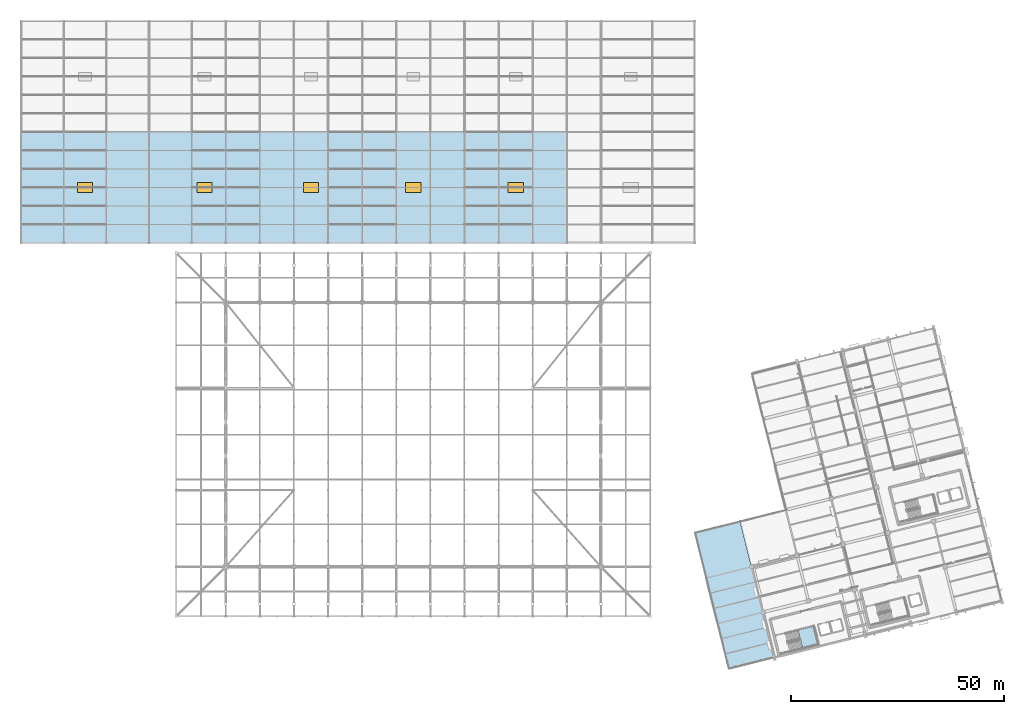
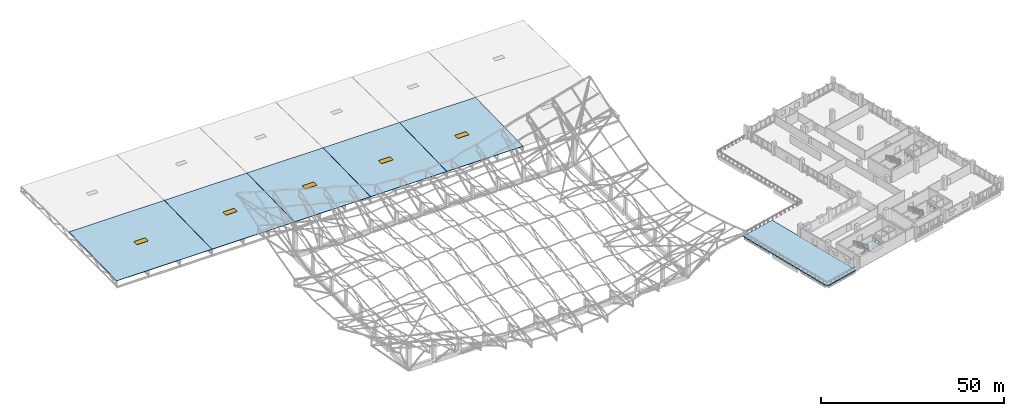
# One storey, part 56 of 75: 7 slabs, 5 windows, 5 openings, 6 elements without a shape of their own.
"""IFC4 building model written with IfcOpenShell, lengths in metres."""

from ifc_helpers import new_model, si_unit, direction, frame, origin, origin_2d, place, context, subcontext, project, spatial, polyline, rectangle, outline, extrude, material, layer, layer_set, type_object, element, fill, aggregate, save


model = new_model("IFC4")

# Units and contexts
model_context = context("Model", 3, precision=1e-05, world=origin(), true_north=direction((0.0, 1.0)))
body_context = subcontext(model_context, "Body", "Model", "MODEL_VIEW")
ifc_project = project(units=[si_unit("LENGTHUNIT", "METRE"), si_unit("AREAUNIT", "SQUARE_METRE"), si_unit("VOLUMEUNIT", "CUBIC_METRE"), si_unit("PLANEANGLEUNIT", "RADIAN"), si_unit("MASSUNIT", "GRAM", prefix="KILO")], contexts=[model_context])

# Site, building, storey
site_placement = place(None, origin())
site = spatial("IfcSite", under=ifc_project, at=site_placement, CompositionType="ELEMENT")
building_placement = place(site_placement, origin())
building = spatial("IfcBuilding", under=site, at=building_placement, Name="Khorjan Park Terminus", CompositionType="ELEMENT")
storey_placement = place(building_placement, frame((0.0, 0.0, 16.2)))
storey = spatial("IfcBuildingStorey", under=building, at=storey_placement, Name="L03", CompositionType="ELEMENT", Elevation=16.2)

# Stair, slab
ifc_material_1 = material(Name="Concrete C40/50", Category="concrete")
stair_type = type_object("IfcStairType", Name="STR-CORE-200", PredefinedType="HALF_TURN_STAIR", material=ifc_material_1)
stair_placement = place(storey_placement, origin())
stair = element("IfcStair", 1, at=stair_placement, inside=storey, type_object=stair_type, Name="L03 Operations West Firefighting Core exit stair ST-03", PredefinedType="HALF_TURN_STAIR")
ifc_layer_1 = layer(ifc_material_1, 0.2)
ifc_layer_set_1 = layer_set([ifc_layer_1], Name="Concrete C40/50")
slab_type_1 = type_object("IfcSlabType", Name="SL-LND-200", PredefinedType="LANDING", material=ifc_layer_set_1)
slab_1_placement = place(storey_placement, frame((0.0, 0.0, 1.9)))
slab_1 = element("IfcSlab", 2, at=slab_1_placement, type_object=slab_type_1, Name="ST-03 landing 1", PredefinedType="LANDING", context=body_context, shape_type="SweptSolid", body=[
    extrude(outline(polyline([(183.3128, 6.8834), (187.0194, 7.8075), (185.9646, 12.038), (182.2581, 11.1138), (183.3128, 6.8834)])), origin(), (0.0, 0.0, 1.0), 0.2),
])
aggregate(stair, [slab_1])

# Roof, slab, opening, window
ifc_material_2 = material(Name="Steel S355", Category="steel")
ifc_layer_2 = layer(ifc_material_2, 0.15)
ifc_layer_set_2 = layer_set([ifc_layer_2], Name="Steel S355")
roof_type = type_object("IfcRoofType", Name="RF-FLAT-SHED", PredefinedType="FLAT_ROOF", material=ifc_layer_set_2)
roof_1_placement = place(storey_placement, origin())
roof_1 = element("IfcRoof", 3, at=roof_1_placement, inside=storey, type_object=roof_type, Name="Train shed low-slope flat roof assembly RF-SH1 (Zone 1)", PredefinedType="FLAT_ROOF")
ifc_layer_3 = layer(ifc_material_1, 0.15)
ifc_layer_set_3 = layer_set([ifc_layer_3], Name="Concrete C40/50")
slab_type_2 = type_object("IfcSlabType", Name="SL-ROOF-150", PredefinedType="ROOF", material=ifc_layer_set_3)
slab_2_placement = place(storey_placement, frame((0.0, 102.01, -0.81), z_axis=(0.0, -0.021165388508, 0.999775988074), x_axis=(1.0, 0.0, 0.0)))
slab_2 = element("IfcSlab", 4, at=slab_2_placement, type_object=slab_type_2, Name="Train shed low-slope flat roof panel RS-15 (1)", PredefinedType="ROOF", context=body_context, shape_type="SweptSolid", body=[
    extrude(outline(polyline([(0.0, 0.0), (29.97, 0.0), (29.97, 25.985821133841423), (0.0, 25.985821133841423), (0.0, 0.0)])), origin(), (0.0, 0.0, -1.0), 0.15),
])
opening_1_placement = place(storey_placement, frame((14.985, 115.0, -0.685), z_axis=(0.0, 0.0, 1.0), x_axis=(1.0, 0.0, 0.0)))
opening_1 = element("IfcOpeningElement", 5, at=opening_1_placement, cuts=slab_2, Name="Opening SK-01", PredefinedType="OPENING", context=body_context, shape_type="SweptSolid", body=[
    extrude(rectangle(XDim=3.6, YDim=2.4, at=origin_2d()), frame((0.0, 0.0, -0.01)), (0.0, 0.0, 1.0), 0.17),
])
ifc_material_3 = material(Name="Thermally Broken Aluminium & Laminated Solar Glass", Category="aluminium")
window_type = type_object("IfcWindowType", Name="SK-36", PartitioningType="SINGLE_PANEL", PredefinedType="SKYLIGHT", material=ifc_material_3)
window_1_placement = place(opening_1_placement, frame((0.0, 0.0, 0.09)))
window_1 = element("IfcWindow", 6, at=window_1_placement, inside=storey, type_object=window_type, Name="Train shed roof skylight SK-01 (1)", OverallHeight=2.4, OverallWidth=3.6, PartitioningType="SINGLE_PANEL", PredefinedType="SKYLIGHT", context=body_context, shape_type="SweptSolid", body=[
    extrude(rectangle(XDim=3.6, YDim=2.4, at=origin_2d()), origin(), (0.0, 0.0, 1.0), 0.06),
])
fill(opening_1, window_1)
aggregate(roof_1, [slab_2])

roof_2_placement = place(storey_placement, origin())
roof_2 = element("IfcRoof", 7, at=roof_2_placement, inside=storey, type_object=roof_type, Name="Train shed low-slope flat roof assembly RF-SH1 (Zone 2)", PredefinedType="FLAT_ROOF")
slab_3_placement = place(storey_placement, frame((30.03, 102.01, -0.81), z_axis=(0.0, -0.021165388508, 0.999775988074), x_axis=(1.0, 0.0, 0.0)))
slab_3 = element("IfcSlab", 8, at=slab_3_placement, type_object=slab_type_2, Name="Train shed low-slope flat roof panel RS-15 (3)", PredefinedType="ROOF", context=body_context, shape_type="SweptSolid", body=[
    extrude(outline(polyline([(0.0, 0.0), (25.939999999999998, 0.0), (25.939999999999998, 25.985821133841423), (0.0, 25.985821133841423), (0.0, 0.0)])), origin(), (0.0, 0.0, -1.0), 0.15),
])
opening_2_placement = place(storey_placement, frame((43.0, 115.0, -0.685), z_axis=(0.0, 0.0, 1.0), x_axis=(1.0, 0.0, 0.0)))
opening_2 = element("IfcOpeningElement", 9, at=opening_2_placement, cuts=slab_3, Name="Opening SK-01", PredefinedType="OPENING", context=body_context, shape_type="SweptSolid", body=[
    extrude(rectangle(XDim=3.6, YDim=2.4, at=origin_2d()), frame((0.0, 0.0, -0.01)), (0.0, 0.0, 1.0), 0.17),
])
window_2_placement = place(opening_2_placement, frame((0.0, 0.0, 0.09)))
window_2 = element("IfcWindow", 10, at=window_2_placement, inside=storey, type_object=window_type, Name="Train shed roof skylight SK-01 (3)", OverallHeight=2.4, OverallWidth=3.6, PartitioningType="SINGLE_PANEL", PredefinedType="SKYLIGHT", context=body_context, shape_type="SweptSolid", body=[
    extrude(rectangle(XDim=3.6, YDim=2.4, at=origin_2d()), origin(), (0.0, 0.0, 1.0), 0.06),
])
fill(opening_2, window_2)
aggregate(roof_2, [slab_3])

roof_3_placement = place(storey_placement, origin())
roof_3 = element("IfcRoof", 11, at=roof_3_placement, inside=storey, type_object=roof_type, Name="Train shed low-slope flat roof assembly RF-SH1 (Zone 3)", PredefinedType="FLAT_ROOF")
slab_4_placement = place(storey_placement, frame((56.03, 102.01, -0.81), z_axis=(0.0, -0.021165388508, 0.999775988074), x_axis=(1.0, 0.0, 0.0)))
slab_4 = element("IfcSlab", 12, at=slab_4_placement, type_object=slab_type_2, Name="Train shed low-slope flat roof panel RS-15 (5)", PredefinedType="ROOF", context=body_context, shape_type="SweptSolid", body=[
    extrude(outline(polyline([(0.0, 0.0), (23.939999999999998, 0.0), (23.939999999999998, 25.985821133841423), (0.0, 25.985821133841423), (0.0, 0.0)])), origin(), (0.0, 0.0, -1.0), 0.15),
])
opening_3_placement = place(storey_placement, frame((68.0, 115.0, -0.685), z_axis=(0.0, 0.0, 1.0), x_axis=(1.0, 0.0, 0.0)))
opening_3 = element("IfcOpeningElement", 13, at=opening_3_placement, cuts=slab_4, Name="Opening SK-01", PredefinedType="OPENING", context=body_context, shape_type="SweptSolid", body=[
    extrude(rectangle(XDim=3.6, YDim=2.4, at=origin_2d()), frame((0.0, 0.0, -0.01)), (0.0, 0.0, 1.0), 0.17),
])
window_3_placement = place(opening_3_placement, frame((0.0, 0.0, 0.09)))
window_3 = element("IfcWindow", 14, at=window_3_placement, inside=storey, type_object=window_type, Name="Train shed roof skylight SK-01 (5)", OverallHeight=2.4, OverallWidth=3.6, PartitioningType="SINGLE_PANEL", PredefinedType="SKYLIGHT", context=body_context, shape_type="SweptSolid", body=[
    extrude(rectangle(XDim=3.6, YDim=2.4, at=origin_2d()), origin(), (0.0, 0.0, 1.0), 0.06),
])
fill(opening_3, window_3)
aggregate(roof_3, [slab_4])

roof_4_placement = place(storey_placement, origin())
roof_4 = element("IfcRoof", 15, at=roof_4_placement, inside=storey, type_object=roof_type, Name="Train shed low-slope flat roof assembly RF-SH1 (Zone 4)", PredefinedType="FLAT_ROOF")
slab_5_placement = place(storey_placement, frame((80.03, 102.01, -0.81), z_axis=(0.0, -0.021165388508, 0.999775988074), x_axis=(1.0, 0.0, 0.0)))
slab_5 = element("IfcSlab", 16, at=slab_5_placement, type_object=slab_type_2, Name="Train shed low-slope flat roof panel RS-15 (7)", PredefinedType="ROOF", context=body_context, shape_type="SweptSolid", body=[
    extrude(outline(polyline([(0.0, 0.0), (23.939999999999998, 0.0), (23.939999999999998, 25.985821133841423), (0.0, 25.985821133841423), (0.0, 0.0)])), origin(), (0.0, 0.0, -1.0), 0.15),
])
opening_4_placement = place(storey_placement, frame((92.0, 115.0, -0.685), z_axis=(0.0, 0.0, 1.0), x_axis=(1.0, 0.0, 0.0)))
opening_4 = element("IfcOpeningElement", 17, at=opening_4_placement, cuts=slab_5, Name="Opening SK-01", PredefinedType="OPENING", context=body_context, shape_type="SweptSolid", body=[
    extrude(rectangle(XDim=3.6, YDim=2.4, at=origin_2d()), frame((0.0, 0.0, -0.01)), (0.0, 0.0, 1.0), 0.17),
])
window_4_placement = place(opening_4_placement, frame((0.0, 0.0, 0.09)))
window_4 = element("IfcWindow", 18, at=window_4_placement, inside=storey, type_object=window_type, Name="Train shed roof skylight SK-01 (7)", OverallHeight=2.4, OverallWidth=3.6, PartitioningType="SINGLE_PANEL", PredefinedType="SKYLIGHT", context=body_context, shape_type="SweptSolid", body=[
    extrude(rectangle(XDim=3.6, YDim=2.4, at=origin_2d()), origin(), (0.0, 0.0, 1.0), 0.06),
])
fill(opening_4, window_4)
aggregate(roof_4, [slab_5])

roof_5_placement = place(storey_placement, origin())
roof_5 = element("IfcRoof", 19, at=roof_5_placement, inside=storey, type_object=roof_type, Name="Train shed low-slope flat roof assembly RF-SH1 (Zone 5)", PredefinedType="FLAT_ROOF")
slab_6_placement = place(storey_placement, frame((104.03, 102.01, -0.81), z_axis=(0.0, -0.021165388508, 0.999775988074), x_axis=(1.0, 0.0, 0.0)))
slab_6 = element("IfcSlab", 20, at=slab_6_placement, type_object=slab_type_2, Name="Train shed low-slope flat roof panel RS-15 (9)", PredefinedType="ROOF", context=body_context, shape_type="SweptSolid", body=[
    extrude(outline(polyline([(0.0, 0.0), (23.939999999999998, 0.0), (23.939999999999998, 25.985821133841423), (0.0, 25.985821133841423), (0.0, 0.0)])), origin(), (0.0, 0.0, -1.0), 0.15),
])
opening_5_placement = place(storey_placement, frame((116.0, 115.0, -0.685), z_axis=(0.0, 0.0, 1.0), x_axis=(1.0, 0.0, 0.0)))
opening_5 = element("IfcOpeningElement", 21, at=opening_5_placement, cuts=slab_6, Name="Opening SK-01", PredefinedType="OPENING", context=body_context, shape_type="SweptSolid", body=[
    extrude(rectangle(XDim=3.6, YDim=2.4, at=origin_2d()), frame((0.0, 0.0, -0.01)), (0.0, 0.0, 1.0), 0.17),
])
window_5_placement = place(opening_5_placement, frame((0.0, 0.0, 0.09)))
window_5 = element("IfcWindow", 22, at=window_5_placement, inside=storey, type_object=window_type, Name="Train shed roof skylight SK-01 (9)", OverallHeight=2.4, OverallWidth=3.6, PartitioningType="SINGLE_PANEL", PredefinedType="SKYLIGHT", context=body_context, shape_type="SweptSolid", body=[
    extrude(rectangle(XDim=3.6, YDim=2.4, at=origin_2d()), origin(), (0.0, 0.0, 1.0), 0.06),
])
fill(opening_5, window_5)
aggregate(roof_5, [slab_6])

# Slab
ifc_layer_4 = layer(ifc_material_1, 0.27)
ifc_layer_set_4 = layer_set([ifc_layer_4], Name="Concrete C40/50")
slab_type_3 = type_object("IfcSlabType", Name="SL-TER-270", PredefinedType="ROOF", material=ifc_layer_set_4)
slab_7_placement = place(storey_placement, frame((0.0, 0.0, -0.27)))
element("IfcSlab", 23, at=slab_7_placement, inside=storey, type_object=slab_type_3, Name="External terrace slab TS-27 (L03-TER-SW)", PredefinedType="ROOF", context=body_context, shape_type="SweptSolid", body=[
    extrude(outline(polyline([(166.0, 2.0), (176.6344, 4.6515), (168.651, 36.6712), (158.0166, 34.0198), (166.0, 2.0)])), origin(), (0.0, 0.0, 1.0), 0.27),
])

save(model, "model.ifc")
